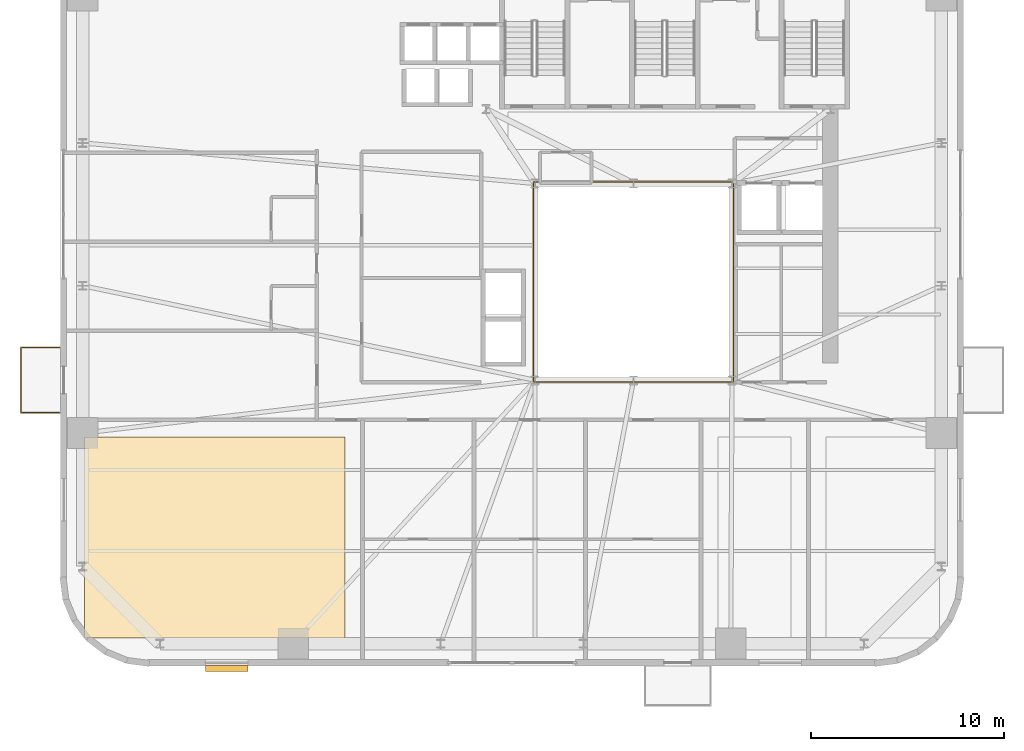
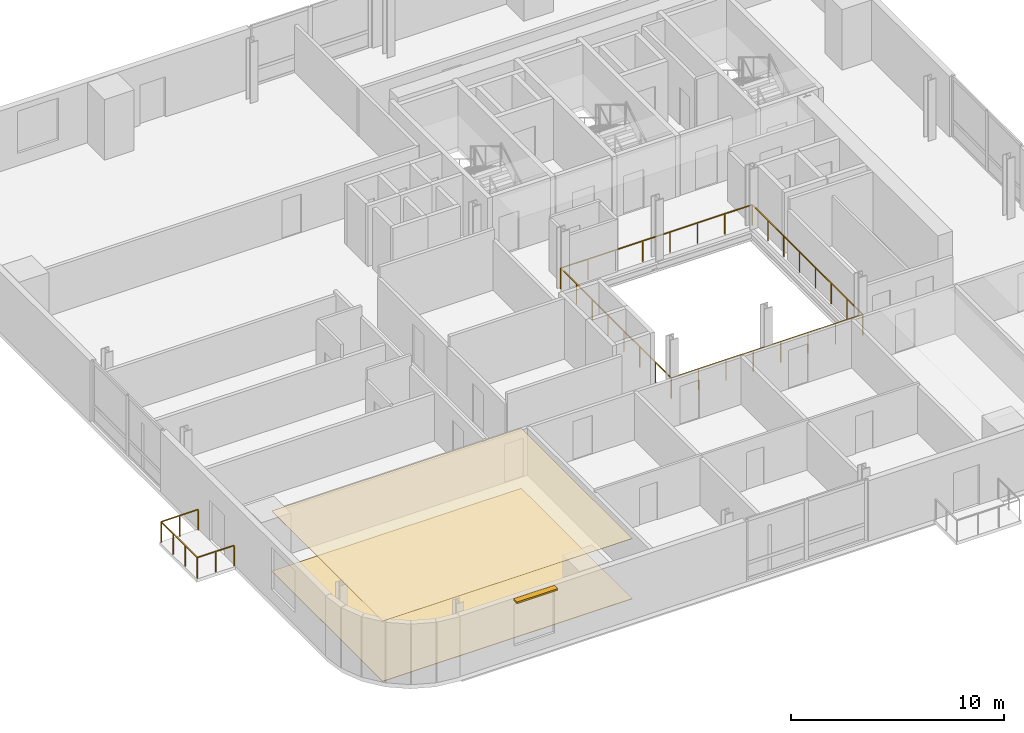
# One storey, part 10 of 14: 2 coverings, 2 railings, 1 shading device.
"""IFC4 building model written with IfcOpenShell, lengths in metres."""

import ifcopenshell
import ifcopenshell.guid

model = None  # the IFC model being written
_history = None  # IfcOwnerHistory: only IFC2X3 demands one
_inside = {}  # id of a spatial element -> (the spatial element, [elements in it])
_under = {}  # id of a project, library or spatial element -> (it, [spatial elements below it])
_declared = {}  # id of a project -> (the project, [libraries it declares])
_typed = {}  # id of a type object -> (the type object, [elements of that type])
_made_of = {}  # id of a material, layer set ... -> (it, [elements and type objects made of it])


def new_model(schema):
    """Start an empty IFC model of exactly this schema.

    Asked for "IFC4X3", IfcOpenShell would pick the latest addendum, in which some entities
    have other attributes; the version numbers below select the first issue.
    IFC2X3 requires an IfcOwnerHistory on every rooted entity: one is made here for all.
    """
    global model, _history
    if schema == "IFC4X3":
        model = ifcopenshell.file(schema_version=(4, 3, 0, 0))
    else:
        model = ifcopenshell.file(schema=schema)
    _inside.clear()
    _under.clear()
    _declared.clear()
    _typed.clear()
    _made_of.clear()
    _history = None
    if model.schema == "IFC2X3":
        org = make("IfcOrganization", Name="unknown")
        user = make(
            "IfcPersonAndOrganization",
            ThePerson=make("IfcPerson", FamilyName="unknown"),
            TheOrganization=org,
        )
        app = make(
            "IfcApplication",
            ApplicationDeveloper=org,
            Version="unknown",
            ApplicationFullName="unknown",
            ApplicationIdentifier="unknown",
        )
        _history = make(
            "IfcOwnerHistory",
            OwningUser=user,
            OwningApplication=app,
            ChangeAction="ADDED",
            CreationDate=0,
        )
    return model


def make(cls, **values):
    """One entity of the class cls with the attributes given. An attribute that is None is left unset."""
    return model.create_entity(
        cls, **{name: value for name, value in values.items() if value is not None}
    )


def rooted(cls, **values):
    """An entity with a GlobalId (a new one), such as an element, a storey or a relation."""
    return make(cls, GlobalId=ifcopenshell.guid.new(), OwnerHistory=_history, **values)


def si_unit(unit_type, name, prefix=None):
    """IfcSIUnit, for example si_unit("LENGTHUNIT", "METRE", prefix="MILLI")."""
    return make("IfcSIUnit", UnitType=unit_type, Prefix=prefix, Name=name)


def assignment(units):
    """IfcUnitAssignment: the units of a project."""
    return None if units is None else make("IfcUnitAssignment", Units=units)


def point(xyz):
    """IfcCartesianPoint."""
    return None if xyz is None else make("IfcCartesianPoint", Coordinates=xyz)


def direction(xyz):
    """IfcDirection."""
    return None if xyz is None else make("IfcDirection", DirectionRatios=xyz)


def frame(location, z_axis=None, x_axis=None):
    """IfcAxis2Placement3D, a coordinate frame: its origin and axes. An axis left out is left unset."""
    return make(
        "IfcAxis2Placement3D",
        Location=point(location),
        Axis=direction(z_axis),
        RefDirection=direction(x_axis),
    )


def frame_2d(location, x_axis=None):
    """IfcAxis2Placement2D, a coordinate frame in the plane: its origin and x axis."""
    return make(
        "IfcAxis2Placement2D", Location=point(location), RefDirection=direction(x_axis)
    )


def origin():
    """The frame at (0, 0, 0) with its axes left unset."""
    return frame((0.0, 0.0, 0.0))


def origin_2d():
    """The frame at (0, 0) in the plane with its x axis left unset."""
    return frame_2d((0.0, 0.0))


def place(relative_to, where):
    """IfcLocalPlacement: puts the frame where relative to a parent placement (None: the world)."""
    return make(
        "IfcLocalPlacement", PlacementRelTo=relative_to, RelativePlacement=where
    )


def context(
    kind, dimensions, precision=None, world=None, true_north=None, identifier=None
):
    """IfcGeometricRepresentationContext, for example the 3D "Model" context."""
    return make(
        "IfcGeometricRepresentationContext",
        ContextIdentifier=identifier,
        ContextType=kind,
        CoordinateSpaceDimension=dimensions,
        Precision=precision,
        WorldCoordinateSystem=world,
        TrueNorth=true_north,
    )


def subcontext(parent, identifier, kind, view, scale=None):
    """IfcGeometricRepresentationSubContext, for example "Body" below "Model"."""
    return make(
        "IfcGeometricRepresentationSubContext",
        ContextIdentifier=identifier,
        ContextType=kind,
        ParentContext=parent,
        TargetScale=scale,
        TargetView=view,
    )


def project(units=None, contexts=None):
    """IfcProject with its units and contexts."""
    return rooted(
        "IfcProject",
        Name="project",
        RepresentationContexts=contexts,
        UnitsInContext=assignment(units),
    )


def spatial(cls, under=None, at=None, **own):
    """A site, building, storey or space (cls), placed at a placement, below another one or the project."""
    s = rooted(cls, ObjectPlacement=at, **own)
    if under is not None:
        _under.setdefault(under.id(), (under, []))[1].append(s)
    return s


def polyline(points):
    """IfcPolyline through the points."""
    return make("IfcPolyline", Points=[point(p) for p in points])


def profile(cls, at=None, kind="AREA", **sizes):
    """A parametric profile (cls). Its sizes go by their IFC names, for example OverallWidth=200.0."""
    return make(cls, ProfileType=kind, Position=at, **sizes)


def rectangle(**sizes):
    """IfcRectangleProfileDef."""
    return profile("IfcRectangleProfileDef", **sizes)


def outline(outer, holes=None, kind="AREA"):
    """IfcArbitraryClosedProfileDef: a profile drawn as a closed curve; with holes, ...WithVoids."""
    if holes is None:
        return make("IfcArbitraryClosedProfileDef", ProfileType=kind, OuterCurve=outer)
    return make(
        "IfcArbitraryProfileDefWithVoids",
        ProfileType=kind,
        OuterCurve=outer,
        InnerCurves=holes,
    )


def extrude(swept, where, along, depth):
    """IfcExtrudedAreaSolid: the profile swept, set in the frame where, extruded along a direction by depth."""
    return make(
        "IfcExtrudedAreaSolid",
        SweptArea=swept,
        Position=where,
        ExtrudedDirection=direction(along),
        Depth=depth,
    )


def shape(context_of_items, identifier, shape_type, items):
    """IfcShapeRepresentation: the items that make up one representation, for example the "Body"."""
    return make(
        "IfcShapeRepresentation",
        ContextOfItems=context_of_items,
        RepresentationIdentifier=identifier,
        RepresentationType=shape_type,
        Items=items,
    )


def source(mapping_origin, context_of_items, identifier, shape_type, items):
    """IfcRepresentationMap: a shape defined once, which mapped items show again and again."""
    return make(
        "IfcRepresentationMap",
        MappingOrigin=mapping_origin,
        MappedRepresentation=shape(context_of_items, identifier, shape_type, items),
    )


def transform(
    local_origin,
    x_axis=None,
    y_axis=None,
    z_axis=None,
    scale=None,
    scale2=None,
    scale3=None,
    uniform=True,
):
    """IfcCartesianTransformationOperator3D, or its non-uniform kind. x_axis, y_axis, z_axis: its Axis1, 2, 3."""
    if uniform:
        return make(
            "IfcCartesianTransformationOperator3D",
            Axis1=direction(x_axis),
            Axis2=direction(y_axis),
            LocalOrigin=point(local_origin),
            Scale=scale,
            Axis3=direction(z_axis),
        )
    return make(
        "IfcCartesianTransformationOperator3DnonUniform",
        Axis1=direction(x_axis),
        Axis2=direction(y_axis),
        LocalOrigin=point(local_origin),
        Scale=scale,
        Axis3=direction(z_axis),
        Scale2=scale2,
        Scale3=scale3,
    )


def mapped(mapping_source, mapping_target):
    """IfcMappedItem: shows the shape of a source again, moved by a transform."""
    return make(
        "IfcMappedItem", MappingSource=mapping_source, MappingTarget=mapping_target
    )


def material(Name=None, Category=None):
    """IfcMaterial."""
    return make("IfcMaterial", Name=Name, Category=Category)


def layer(
    of_material, thickness, ventilated=None, Name=None, Category=None, Priority=None
):
    """IfcMaterialLayer: one layer of a wall or slab, of a material (None: an air gap)."""
    return make(
        "IfcMaterialLayer",
        Material=of_material,
        LayerThickness=thickness,
        IsVentilated=ventilated,
        Name=Name,
        Category=Category,
        Priority=Priority,
    )


def layer_set(layers, Name=None):
    """IfcMaterialLayerSet."""
    return make("IfcMaterialLayerSet", MaterialLayers=layers, LayerSetName=Name)


def made_of(thing, what):
    """Note that an element or type object is made of a material, layer set ...; save() writes the relation."""
    if what is not None:
        _made_of.setdefault(what.id(), (what, []))[1].append(thing)
    return thing


def type_object(cls, material=None, **own):
    """A type object (cls), such as IfcWallType, which elements share."""
    return made_of(rooted(cls, **own), material)


def element(
    cls,
    number,
    at=None,
    inside=None,
    cuts=None,
    type_object=None,
    material=None,
    context=None,
    identifier="Body",
    shape_type=None,
    held_by="IfcProductDefinitionShape",
    body=None,
    shapes=None,
    **own,
):
    """One element of the class cls, such as IfcWall. Its Tag is "e" and its number.

    at: its placement. inside: the storey or other place that contains it. cuts: it is an
    opening in that element (IfcRelVoidsElement). A single representation is given by context,
    identifier, shape_type and body (its items); several are given by shapes. held_by: the class
    of the entity that holds the representations. save() writes the other relations.
    """
    e = rooted(cls, Tag="e%d" % number, ObjectPlacement=at, **own)
    if body is not None:
        shapes = [shape(context, identifier, shape_type, body)]
    if shapes is not None:
        e.Representation = make(held_by, Representations=shapes)
    if inside is not None:
        _inside.setdefault(inside.id(), (inside, []))[1].append(e)
    if cuts is not None:
        rooted(
            "IfcRelVoidsElement", RelatingBuildingElement=cuts, RelatedOpeningElement=e
        )
    if type_object is not None:
        _typed.setdefault(type_object.id(), (type_object, []))[1].append(e)
    return made_of(e, material)


def aggregate(whole, parts):
    """IfcRelAggregates: a whole, such as a stair, and the parts it consists of."""
    return rooted("IfcRelAggregates", RelatingObject=whole, RelatedObjects=parts)


def save(model, path):
    """Write the relations noted so far, then the file.

    IfcRelAggregates (storeys below a building ...), IfcRelContainedInSpatialStructure (elements
    in a storey), IfcRelDefinesByType, IfcRelAssociatesMaterial and IfcRelDeclares: one each for
    every whole, place, type object, material and project.
    """
    for whole, parts in _under.values():
        aggregate(whole, parts)
    for where, things in _inside.values():
        rooted(
            "IfcRelContainedInSpatialStructure",
            RelatedElements=things,
            RelatingStructure=where,
        )
    for kind, things in _typed.values():
        rooted("IfcRelDefinesByType", RelatedObjects=things, RelatingType=kind)
    for what, things in _made_of.values():
        rooted("IfcRelAssociatesMaterial", RelatedObjects=things, RelatingMaterial=what)
    for by, libraries in _declared.values():
        rooted("IfcRelDeclares", RelatingContext=by, RelatedDefinitions=libraries)
    model.write(path)


model = new_model("IFC4")

# Units and contexts
model_context = context("Model", 3, precision=1e-05, world=origin(), true_north=direction((0.0, 1.0)))
body_context = subcontext(model_context, "Body", "Model", "MODEL_VIEW")
ifc_project = project(units=[si_unit("LENGTHUNIT", "METRE"), si_unit("AREAUNIT", "SQUARE_METRE"), si_unit("VOLUMEUNIT", "CUBIC_METRE"), si_unit("PLANEANGLEUNIT", "RADIAN"), si_unit("MASSUNIT", "GRAM", prefix="KILO")], contexts=[model_context])

# Site, building, storey
site_placement = place(None, origin())
site = spatial("IfcSite", under=ifc_project, at=site_placement, CompositionType="ELEMENT")
building_placement = place(site_placement, origin())
building = spatial("IfcBuilding", under=site, at=building_placement, Name="Vardaveli Station Tower", CompositionType="ELEMENT")
storey_placement = place(building_placement, frame((0.0, 0.0, 144.60009765625)))
storey = spatial("IfcBuildingStorey", under=building, at=storey_placement, Name="L37", CompositionType="ELEMENT", Elevation=144.60009765625)

# Coverings
ifc_material_1 = material(Name="Perforated acoustic mineral ceiling")
ifc_layer_1 = layer(ifc_material_1, 0.02001953125, Name="Perforated acoustic mineral ceiling")
ifc_layer_set_1 = layer_set([ifc_layer_1], Name="Perforated acoustic mineral ceiling")
covering_type_1 = type_object("IfcCoveringType", Name="COV-CEIL-AC20", PredefinedType="CEILING", material=ifc_layer_set_1)
covering_1_placement = place(storey_placement, frame((0.0, 0.0, 3.44482421875)))
element("IfcCovering", 1, at=covering_1_placement, inside=storey, type_object=covering_type_1, Name="CEIL-L37-1", PredefinedType="CEILING", context=body_context, shape_type="SweptSolid", body=[
    extrude(outline(polyline([(7.85009765625, 3.25), (21.35009765625, 3.25), (21.35009765625, 13.64990234375), (7.85009765625, 13.64990234375), (7.85009765625, 3.25)])), origin(), (0.0, 0.0, 1.0), 0.02001953125),
])
ifc_material_2 = material(Name="Honed Caucasian basalt and travertine flooring", Category="masonry")
ifc_layer_2 = layer(ifc_material_2, 0.030029296875, Name="Honed Caucasian basalt and travertine flooring")
ifc_layer_set_2 = layer_set([ifc_layer_2], Name="Honed Caucasian basalt and travertine flooring")
covering_type_2 = type_object("IfcCoveringType", Name="COV-FLOOR-ST30", PredefinedType="FLOORING", material=ifc_layer_set_2)
covering_2_placement = place(storey_placement, origin())
element("IfcCovering", 2, at=covering_2_placement, inside=storey, type_object=covering_type_2, Name="FLR-L37-1", PredefinedType="FLOORING", context=body_context, shape_type="SweptSolid", body=[
    extrude(outline(polyline([(7.85009765625, 3.25), (21.35009765625, 3.25), (21.35009765625, 13.64990234375), (7.85009765625, 13.64990234375), (7.85009765625, 3.25)])), origin(), (0.0, 0.0, 1.0), 0.02978515625),
])

# Shading device
ifc_material_3 = material(Name="Anodised champagne aluminium sunshade", Category="aluminium")
ifc_layer_3 = layer(ifc_material_3, 0.090087890625, Name="Anodised champagne aluminium sunshade")
ifc_layer_set_3 = layer_set([ifc_layer_3], Name="Anodised champagne aluminium sunshade")
shading_device_type = type_object("IfcShadingDeviceType", Name="SHD-SUNSHADE", PredefinedType="USERDEFINED", material=ifc_layer_set_3)
shared_shape_1 = source(origin(), body_context, "Body", "SweptSolid", [
    extrude(rectangle(XDim=2.199951171875, YDim=0.320068359375, at=origin_2d()), origin(), (0.0, 0.0, 1.0), 0.090087890625),
])
shading_device_placement = place(storey_placement, frame((15.205078125, 1.655029296875, 3.33984375), z_axis=(0.0, 0.0, 1.0), x_axis=(1.0, 0.0, 0.0)))
element("IfcShadingDevice", 3, at=shading_device_placement, inside=storey, type_object=shading_device_type, Name="SHD-SS-L37-S", ObjectType="SUNSHADE", PredefinedType="USERDEFINED", context=body_context, shape_type="MappedRepresentation", body=[
    mapped(shared_shape_1, transform((0.0, 0.0, 0.0), scale=1.0)),
])

# Railings
ifc_material_4 = material(Name="Laminated glass and stainless steel balustrade", Category="steel")
railing_type = type_object("IfcRailingType", Name="RL-BAL-1200", PredefinedType="BALUSTRADE", material=ifc_material_4)
shared_shape_2 = source(origin(), body_context, "Body", "SweptSolid", [
    extrude(rectangle(XDim=0.048095703125, YDim=0.048095703125, at=origin_2d()), frame((0.0, 0.0, 1.17578125), z_axis=(-1.0, 0.0, 0.0), x_axis=(0.0, -1.0, 0.0)), (0.0, 0.0, 1.0), 2.0),
    extrude(rectangle(XDim=0.048095703125, YDim=0.048095703125, at=origin_2d()), frame((-2.0, 0.0, 1.17578125), z_axis=(0.0, 1.0, 0.0), x_axis=(-1.0, 0.0, 0.0)), (0.0, 0.0, 1.0), 3.3798828125),
    extrude(rectangle(XDim=0.048095703125, YDim=0.048095703125, at=origin_2d()), frame((-2.0, 3.3798828125, 1.17578125), z_axis=(1.0, 0.0, 0.0), x_axis=(0.0, 1.0, 0.0)), (0.0, 0.0, 1.0), 2.0),
    extrude(rectangle(XDim=0.0419921875, YDim=0.0419921875, at=origin_2d()), origin(), (0.0, 0.0, 1.0), 1.15185546875),
    extrude(rectangle(XDim=0.0419921875, YDim=0.0419921875, at=origin_2d()), frame((-1.0, 0.0, 0.0)), (0.0, 0.0, 1.0), 1.15185546875),
    extrude(rectangle(XDim=0.0419921875, YDim=0.0419921875, at=origin_2d()), frame((-2.0, 0.0, 0.0)), (0.0, 0.0, 1.0), 1.15185546875),
    extrude(rectangle(XDim=0.0419921875, YDim=0.0419921875, at=origin_2d()), frame((-2.0, 1.126708984375, 0.0)), (0.0, 0.0, 1.0), 1.15185546875),
    extrude(rectangle(XDim=0.0419921875, YDim=0.0419921875, at=origin_2d()), frame((-2.0, 2.253173828125, 0.0)), (0.0, 0.0, 1.0), 1.15185546875),
    extrude(rectangle(XDim=0.0419921875, YDim=0.0419921875, at=origin_2d()), frame((-2.0, 3.3798828125, 0.0)), (0.0, 0.0, 1.0), 1.15185546875),
    extrude(rectangle(XDim=0.0419921875, YDim=0.0419921875, at=origin_2d()), frame((-1.0, 3.3798828125, 0.0)), (0.0, 0.0, 1.0), 1.15185546875),
    extrude(rectangle(XDim=0.0419921875, YDim=0.0419921875, at=origin_2d()), frame((0.0, 3.3798828125, 0.0)), (0.0, 0.0, 1.0), 1.15185546875),
])
railing_1_placement = place(storey_placement, frame((6.56005859375, 14.92041015625, 0.0)))
element("IfcRailing", 4, at=railing_1_placement, inside=storey, type_object=railing_type, Name="RL-LOG-L37-03", PredefinedType="BALUSTRADE", context=body_context, shape_type="MappedRepresentation", body=[
    mapped(shared_shape_2, transform((0.0, 0.0, 0.0), scale=1.0)),
])
shared_shape_3 = source(origin(), body_context, "Body", "SweptSolid", [
    extrude(rectangle(XDim=0.048095703125, YDim=0.048095703125, at=origin_2d()), frame((0.0, 0.0, 1.17578125), z_axis=(1.0, 0.0, 0.0), x_axis=(0.0, 1.0, 0.0)), (0.0, 0.0, 1.0), 10.35986328125),
    extrude(rectangle(XDim=0.048095703125, YDim=0.048095703125, at=origin_2d()), frame((10.35986328125, 0.0, 1.17578125), z_axis=(0.0, 1.0, 0.0), x_axis=(-1.0, 0.0, 0.0)), (0.0, 0.0, 1.0), 10.35986328125),
    extrude(rectangle(XDim=0.048095703125, YDim=0.048095703125, at=origin_2d()), frame((10.35986328125, 10.35986328125, 1.17578125), z_axis=(-1.0, 0.0, 0.0), x_axis=(0.0, -1.0, 0.0)), (0.0, 0.0, 1.0), 10.35986328125),
    extrude(rectangle(XDim=0.048095703125, YDim=0.048095703125, at=origin_2d()), frame((0.0, 10.35986328125, 1.17578125), z_axis=(0.0, -1.0, 0.0), x_axis=(1.0, 0.0, 0.0)), (0.0, 0.0, 1.0), 10.35986328125),
    extrude(rectangle(XDim=0.0419921875, YDim=0.0419921875, at=origin_2d()), origin(), (0.0, 0.0, 1.0), 1.15185546875),
    extrude(rectangle(XDim=0.0419921875, YDim=0.0419921875, at=origin_2d()), frame((1.47998046875, 0.0, 0.0)), (0.0, 0.0, 1.0), 1.15185546875),
    extrude(rectangle(XDim=0.0419921875, YDim=0.0419921875, at=origin_2d()), frame((2.9599609375, 0.0, 0.0)), (0.0, 0.0, 1.0), 1.15185546875),
    extrude(rectangle(XDim=0.0419921875, YDim=0.0419921875, at=origin_2d()), frame((4.43994140625, 0.0, 0.0)), (0.0, 0.0, 1.0), 1.15185546875),
    extrude(rectangle(XDim=0.0419921875, YDim=0.0419921875, at=origin_2d()), frame((5.919921875, 0.0, 0.0)), (0.0, 0.0, 1.0), 1.15185546875),
    extrude(rectangle(XDim=0.0419921875, YDim=0.0419921875, at=origin_2d()), frame((7.39990234375, 0.0, 0.0)), (0.0, 0.0, 1.0), 1.15185546875),
    extrude(rectangle(XDim=0.0419921875, YDim=0.0419921875, at=origin_2d()), frame((8.8798828125, 0.0, 0.0)), (0.0, 0.0, 1.0), 1.15185546875),
    extrude(rectangle(XDim=0.0419921875, YDim=0.0419921875, at=origin_2d()), frame((10.35986328125, 0.0, 0.0)), (0.0, 0.0, 1.0), 1.15185546875),
    extrude(rectangle(XDim=0.0419921875, YDim=0.0419921875, at=origin_2d()), frame((10.35986328125, 1.47998046875, 0.0)), (0.0, 0.0, 1.0), 1.15185546875),
    extrude(rectangle(XDim=0.0419921875, YDim=0.0419921875, at=origin_2d()), frame((10.35986328125, 2.9599609375, 0.0)), (0.0, 0.0, 1.0), 1.15185546875),
    extrude(rectangle(XDim=0.0419921875, YDim=0.0419921875, at=origin_2d()), frame((10.35986328125, 4.43994140625, 0.0)), (0.0, 0.0, 1.0), 1.15185546875),
    extrude(rectangle(XDim=0.0419921875, YDim=0.0419921875, at=origin_2d()), frame((10.35986328125, 5.919921875, 0.0)), (0.0, 0.0, 1.0), 1.15185546875),
    extrude(rectangle(XDim=0.0419921875, YDim=0.0419921875, at=origin_2d()), frame((10.35986328125, 7.39990234375, 0.0)), (0.0, 0.0, 1.0), 1.15185546875),
    extrude(rectangle(XDim=0.0419921875, YDim=0.0419921875, at=origin_2d()), frame((10.35986328125, 8.8798828125, 0.0)), (0.0, 0.0, 1.0), 1.15185546875),
    extrude(rectangle(XDim=0.0419921875, YDim=0.0419921875, at=origin_2d()), frame((10.35986328125, 10.35986328125, 0.0)), (0.0, 0.0, 1.0), 1.15185546875),
    extrude(rectangle(XDim=0.0419921875, YDim=0.0419921875, at=origin_2d()), frame((8.8798828125, 10.35986328125, 0.0)), (0.0, 0.0, 1.0), 1.15185546875),
    extrude(rectangle(XDim=0.0419921875, YDim=0.0419921875, at=origin_2d()), frame((7.39990234375, 10.35986328125, 0.0)), (0.0, 0.0, 1.0), 1.15185546875),
    extrude(rectangle(XDim=0.0419921875, YDim=0.0419921875, at=origin_2d()), frame((5.919921875, 10.35986328125, 0.0)), (0.0, 0.0, 1.0), 1.15185546875),
    extrude(rectangle(XDim=0.0419921875, YDim=0.0419921875, at=origin_2d()), frame((4.43994140625, 10.35986328125, 0.0)), (0.0, 0.0, 1.0), 1.15185546875),
    extrude(rectangle(XDim=0.0419921875, YDim=0.0419921875, at=origin_2d()), frame((2.9599609375, 10.35986328125, 0.0)), (0.0, 0.0, 1.0), 1.15185546875),
    extrude(rectangle(XDim=0.0419921875, YDim=0.0419921875, at=origin_2d()), frame((1.47998046875, 10.35986328125, 0.0)), (0.0, 0.0, 1.0), 1.15185546875),
    extrude(rectangle(XDim=0.0419921875, YDim=0.0419921875, at=origin_2d()), frame((0.0, 10.35986328125, 0.0)), (0.0, 0.0, 1.0), 1.15185546875),
    extrude(rectangle(XDim=0.0419921875, YDim=0.0419921875, at=origin_2d()), frame((0.0, 8.8798828125, 0.0)), (0.0, 0.0, 1.0), 1.15185546875),
    extrude(rectangle(XDim=0.0419921875, YDim=0.0419921875, at=origin_2d()), frame((0.0, 7.39990234375, 0.0)), (0.0, 0.0, 1.0), 1.15185546875),
    extrude(rectangle(XDim=0.0419921875, YDim=0.0419921875, at=origin_2d()), frame((0.0, 5.919921875, 0.0)), (0.0, 0.0, 1.0), 1.15185546875),
    extrude(rectangle(XDim=0.0419921875, YDim=0.0419921875, at=origin_2d()), frame((0.0, 4.43994140625, 0.0)), (0.0, 0.0, 1.0), 1.15185546875),
    extrude(rectangle(XDim=0.0419921875, YDim=0.0419921875, at=origin_2d()), frame((0.0, 2.9599609375, 0.0)), (0.0, 0.0, 1.0), 1.15185546875),
    extrude(rectangle(XDim=0.0419921875, YDim=0.0419921875, at=origin_2d()), frame((0.0, 1.47998046875, 0.0)), (0.0, 0.0, 1.0), 1.15185546875),
])
railing_2_placement = place(storey_placement, frame((31.1201171875, 16.52001953125, 0.0)))
element("IfcRailing", 5, at=railing_2_placement, inside=storey, type_object=railing_type, Name="RL-ATR-L37", PredefinedType="BALUSTRADE", context=body_context, shape_type="MappedRepresentation", body=[
    mapped(shared_shape_3, transform((0.0, 0.0, 0.0), scale=1.0)),
])

save(model, "model.ifc")
